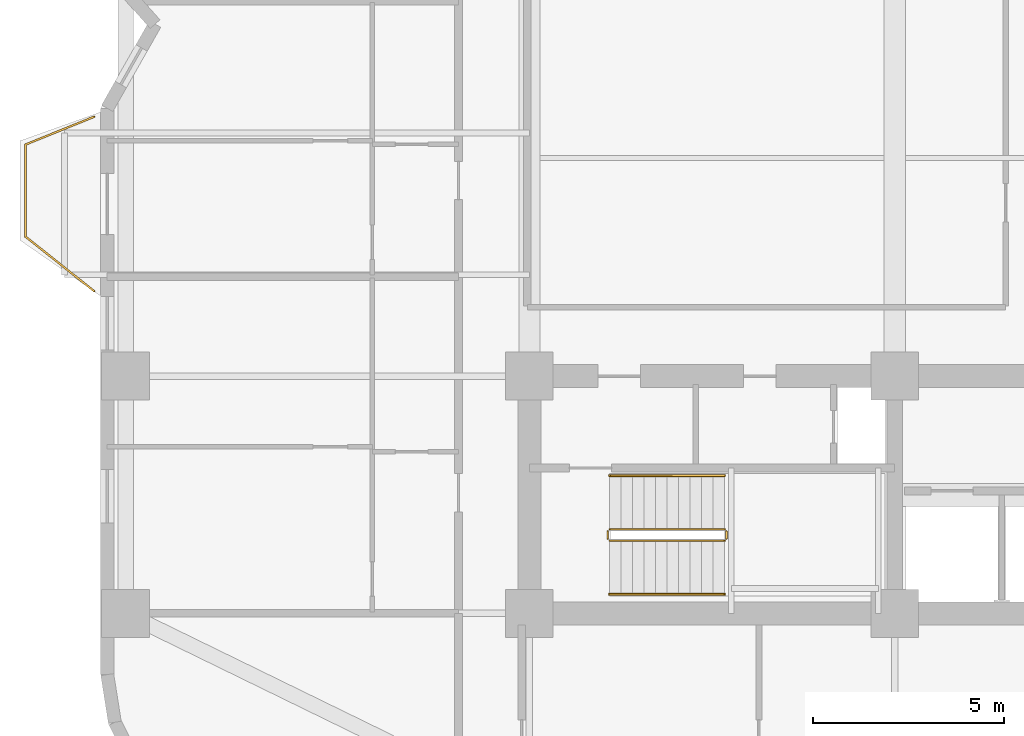
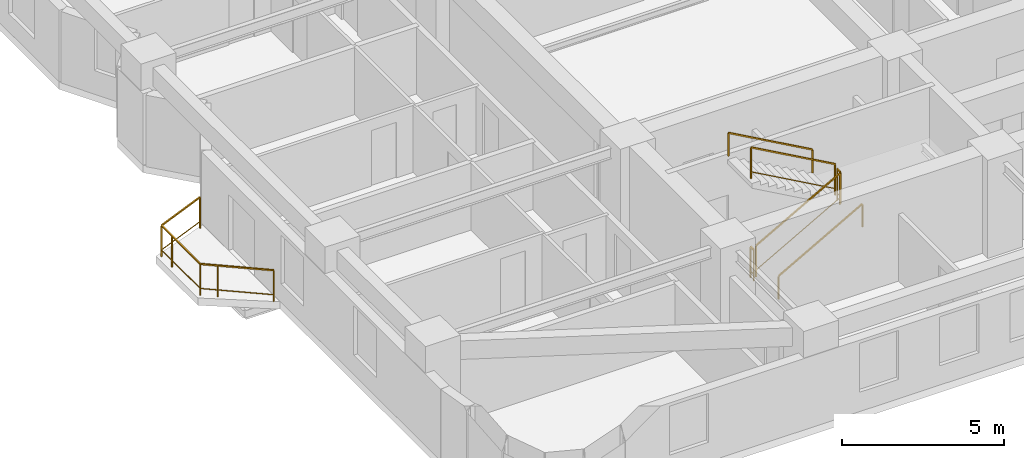
# One storey, part 8 of 9: 7 railings.
"""IFC4 building model written with IfcOpenShell, lengths in metres."""

from ifc_helpers import new_model, si_unit, direction, frame, origin, origin_2d, place, context, subcontext, project, spatial, rectangle, extrude, material, type_object, element, save


model = new_model("IFC4")

# Units and contexts
model_context = context("Model", 3, precision=1e-05, world=origin(), true_north=direction((0.0, 1.0)))
body_context = subcontext(model_context, "Body", "Model", "MODEL_VIEW")
ifc_project = project(units=[si_unit("LENGTHUNIT", "METRE"), si_unit("AREAUNIT", "SQUARE_METRE"), si_unit("VOLUMEUNIT", "CUBIC_METRE"), si_unit("PLANEANGLEUNIT", "RADIAN"), si_unit("MASSUNIT", "GRAM", prefix="KILO")], contexts=[model_context])

# Site, building, storey
site_placement = place(None, origin())
site = spatial("IfcSite", under=ifc_project, at=site_placement, CompositionType="ELEMENT")
building_placement = place(site_placement, origin())
building = spatial("IfcBuilding", under=site, at=building_placement, Name="Svetorya Sky Lyceum", CompositionType="ELEMENT")
storey_placement = place(building_placement, frame((0.0, 0.0, 51.0)))
storey = spatial("IfcBuildingStorey", under=building, at=storey_placement, Name="L12", CompositionType="ELEMENT", Elevation=51.0)

# Railings
ifc_material_1 = material(Name="Laminated safety glass and stainless AISI 316", Category="glass")
railing_type_1 = type_object("IfcRailingType", Name="RL-BAL-1200", PredefinedType="BALUSTRADE", material=ifc_material_1)
railing_1_placement = place(storey_placement, frame((14.22998046875, 19.02001953125, 0.0)))
element("IfcRailing", 1, at=railing_1_placement, inside=storey, type_object=railing_type_1, Name="L12 Balcony Balustrade BAL-W1", PredefinedType="BALUSTRADE", context=body_context, shape_type="SweptSolid", body=[
    extrude(rectangle(XDim=0.048095703125, YDim=0.048095703125, at=origin_2d()), frame((0.0, 0.0, 1.17578125), z_axis=(-0.783008919264, 0.622010476079, 0.0), x_axis=(-0.622010476079, -0.783008919264, 0.0)), (0.0, 0.0, 1.0), 2.298828125),
    extrude(rectangle(XDim=0.02392578125, YDim=0.02392578125, at=origin_2d()), frame((0.0, 0.0, 0.25), z_axis=(-0.783008919264, 0.622010476079, 0.0), x_axis=(-0.622010476079, -0.783008919264, 0.0)), (0.0, 0.0, 1.0), 2.298828125),
    extrude(rectangle(XDim=0.048095703125, YDim=0.048095703125, at=origin_2d()), frame((-1.800048828125, 1.429931640625, 1.17578125), z_axis=(0.0, 1.0, 0.0), x_axis=(-1.0, 0.0, 0.0)), (0.0, 0.0, 1.0), 2.400146484375),
    extrude(rectangle(XDim=0.02392578125, YDim=0.02392578125, at=origin_2d()), frame((-1.800048828125, 1.429931640625, 0.25), z_axis=(0.0, 1.0, 0.0), x_axis=(-1.0, 0.0, 0.0)), (0.0, 0.0, 1.0), 2.400146484375),
    extrude(rectangle(XDim=0.048095703125, YDim=0.048095703125, at=origin_2d()), frame((-1.800048828125, 3.830078125, 1.17578125), z_axis=(0.926697865975, 0.375807218129, 0.0), x_axis=(-0.375807218129, 0.926697865975, 0.0)), (0.0, 0.0, 1.0), 1.9423828125),
    extrude(rectangle(XDim=0.02392578125, YDim=0.02392578125, at=origin_2d()), frame((-1.800048828125, 3.830078125, 0.25), z_axis=(0.926697865975, 0.375807218129, 0.0), x_axis=(-0.375807218129, 0.926697865975, 0.0)), (0.0, 0.0, 1.0), 1.9423828125),
    extrude(rectangle(XDim=0.0419921875, YDim=0.0419921875, at=origin_2d()), origin(), (0.0, 0.0, 1.0), 1.15185546875),
    extrude(rectangle(XDim=0.0419921875, YDim=0.0419921875, at=origin_2d()), frame((-1.370361328125, 1.088623046875, 0.0)), (0.0, 0.0, 1.0), 1.15185546875),
    extrude(rectangle(XDim=0.0419921875, YDim=0.0419921875, at=origin_2d()), frame((-1.800048828125, 1.429931640625, 0.0)), (0.0, 0.0, 1.0), 1.15185546875),
    extrude(rectangle(XDim=0.0419921875, YDim=0.0419921875, at=origin_2d()), frame((-1.800048828125, 3.179931640625, 0.0)), (0.0, 0.0, 1.0), 1.15185546875),
    extrude(rectangle(XDim=0.0419921875, YDim=0.0419921875, at=origin_2d()), frame((-1.800048828125, 3.830078125, 0.0)), (0.0, 0.0, 1.0), 1.15185546875),
    extrude(rectangle(XDim=0.0419921875, YDim=0.0419921875, at=origin_2d()), frame((0.0, 4.56005859375, 0.0)), (0.0, 0.0, 1.0), 1.15185546875),
])
ifc_material_2 = material(Name="Painted galvanized stair well guard")
railing_type_2 = type_object("IfcRailingType", Name="RL-STR-GUARD-1200", PredefinedType="GUARDRAIL", material=ifc_material_2)
railing_2_placement = place(storey_placement, frame((27.699951171875, 12.5, 0.168212890625)))
element("IfcRailing", 2, at=railing_2_placement, inside=storey, type_object=railing_type_2, Name="L12 ST-S stair guard 1", PredefinedType="GUARDRAIL", context=body_context, shape_type="SweptSolid", body=[
    extrude(rectangle(XDim=0.048095703125, YDim=0.048095703125, at=origin_2d()), frame((0.0, 0.0, 1.17578125), z_axis=(0.872272294576, 0.0, 0.489020494575), x_axis=(0.0, 1.0, 0.0)), (0.0, 0.0, 1.0), 3.439208984375),
    extrude(rectangle(XDim=0.02392578125, YDim=0.02392578125, at=origin_2d()), frame((0.0, 0.0, 0.25), z_axis=(0.872272294576, 0.0, 0.489020494575), x_axis=(0.0, 1.0, 0.0)), (0.0, 0.0, 1.0), 3.439208984375),
    extrude(rectangle(XDim=0.0419921875, YDim=0.0419921875, at=origin_2d()), origin(), (0.0, 0.0, 1.0), 1.15185546875),
    extrude(rectangle(XDim=0.0419921875, YDim=0.0419921875, at=origin_2d()), frame((3.0, 0.0, 1.681884765625)), (0.0, 0.0, 1.0), 1.15185546875),
])
railing_3_placement = place(storey_placement, frame((30.75, 12.550048828125, 1.85009765625)))
element("IfcRailing", 3, at=railing_3_placement, inside=storey, type_object=railing_type_2, Name="L12 ST-S stair guard 2", PredefinedType="GUARDRAIL", context=body_context, shape_type="SweptSolid", body=[
    extrude(rectangle(XDim=0.048095703125, YDim=0.048095703125, at=origin_2d()), frame((0.0, 0.0, 1.17578125), z_axis=(0.0, 1.0, 0.0), x_axis=(-1.0, 0.0, 0.0)), (0.0, 0.0, 1.0), 0.199951171875),
    extrude(rectangle(XDim=0.02392578125, YDim=0.02392578125, at=origin_2d()), frame((0.0, 0.0, 0.25), z_axis=(0.0, 1.0, 0.0), x_axis=(-1.0, 0.0, 0.0)), (0.0, 0.0, 1.0), 0.199951171875),
    extrude(rectangle(XDim=0.0419921875, YDim=0.0419921875, at=origin_2d()), origin(), (0.0, 0.0, 1.0), 1.15185546875),
    extrude(rectangle(XDim=0.0419921875, YDim=0.0419921875, at=origin_2d()), frame((0.0, 0.199951171875, 0.0)), (0.0, 0.0, 1.0), 1.15185546875),
])
railing_4_placement = place(storey_placement, frame((30.699951171875, 12.800048828125, 2.01806640625)))
element("IfcRailing", 4, at=railing_4_placement, inside=storey, type_object=railing_type_2, Name="L12 ST-S stair guard 3", PredefinedType="GUARDRAIL", context=body_context, shape_type="SweptSolid", body=[
    extrude(rectangle(XDim=0.048095703125, YDim=0.048095703125, at=origin_2d()), frame((0.0, 0.0, 1.17578125), z_axis=(-0.872272294576, 0.0, 0.489020494575), x_axis=(0.0, -1.0, 0.0)), (0.0, 0.0, 1.0), 3.439208984375),
    extrude(rectangle(XDim=0.02392578125, YDim=0.02392578125, at=origin_2d()), frame((0.0, 0.0, 0.25), z_axis=(-0.872272294576, 0.0, 0.489020494575), x_axis=(0.0, -1.0, 0.0)), (0.0, 0.0, 1.0), 3.439208984375),
    extrude(rectangle(XDim=0.0419921875, YDim=0.0419921875, at=origin_2d()), origin(), (0.0, 0.0, 1.0), 1.15185546875),
    extrude(rectangle(XDim=0.0419921875, YDim=0.0419921875, at=origin_2d()), frame((-3.0, 0.0, 1.681884765625)), (0.0, 0.0, 1.0), 1.15185546875),
])
railing_5_placement = place(storey_placement, frame((27.64990234375, 12.550048828125, 0.0)))
element("IfcRailing", 5, at=railing_5_placement, inside=storey, type_object=railing_type_2, Name="L12 ST-S stair guard 4", PredefinedType="GUARDRAIL", context=body_context, shape_type="SweptSolid", body=[
    extrude(rectangle(XDim=0.048095703125, YDim=0.048095703125, at=origin_2d()), frame((0.0, 0.0, 1.17578125), z_axis=(0.0, 1.0, 0.0), x_axis=(-1.0, 0.0, 0.0)), (0.0, 0.0, 1.0), 0.199951171875),
    extrude(rectangle(XDim=0.02392578125, YDim=0.02392578125, at=origin_2d()), frame((0.0, 0.0, 0.25), z_axis=(0.0, 1.0, 0.0), x_axis=(-1.0, 0.0, 0.0)), (0.0, 0.0, 1.0), 0.199951171875),
    extrude(rectangle(XDim=0.0419921875, YDim=0.0419921875, at=origin_2d()), origin(), (0.0, 0.0, 1.0), 1.15185546875),
    extrude(rectangle(XDim=0.0419921875, YDim=0.0419921875, at=origin_2d()), frame((0.0, 0.199951171875, 0.0)), (0.0, 0.0, 1.0), 1.15185546875),
])
ifc_material_3 = material(Name="Brushed stainless AISI 304 stair handrail")
railing_type_3 = type_object("IfcRailingType", Name="RL-STR-HAND-920", PredefinedType="HANDRAIL", material=ifc_material_3)
railing_6_placement = place(storey_placement, frame((27.699951171875, 11.10009765625, 0.168212890625)))
element("IfcRailing", 6, at=railing_6_placement, inside=storey, type_object=railing_type_3, Name="L12 ST-S stair handrail 1", PredefinedType="HANDRAIL", context=body_context, shape_type="SweptSolid", body=[
    extrude(rectangle(XDim=0.048095703125, YDim=0.048095703125, at=origin_2d()), frame((0.0, 0.0, 0.8759765625), z_axis=(0.872272294576, 0.0, 0.489020494575), x_axis=(0.0, 1.0, 0.0)), (0.0, 0.0, 1.0), 3.439208984375),
    extrude(rectangle(XDim=0.0419921875, YDim=0.0419921875, at=origin_2d()), origin(), (0.0, 0.0, 1.0), 0.851806640625),
    extrude(rectangle(XDim=0.0419921875, YDim=0.0419921875, at=origin_2d()), frame((3.0, 0.0, 1.681884765625)), (0.0, 0.0, 1.0), 0.851806640625),
])
railing_7_placement = place(storey_placement, frame((30.699951171875, 14.199951171875, 2.01806640625)))
element("IfcRailing", 7, at=railing_7_placement, inside=storey, type_object=railing_type_3, Name="L12 ST-S stair handrail 2", PredefinedType="HANDRAIL", context=body_context, shape_type="SweptSolid", body=[
    extrude(rectangle(XDim=0.048095703125, YDim=0.048095703125, at=origin_2d()), frame((0.0, 0.0, 0.8759765625), z_axis=(-0.872272294576, 0.0, 0.489020494575), x_axis=(0.0, -1.0, 0.0)), (0.0, 0.0, 1.0), 3.439208984375),
    extrude(rectangle(XDim=0.0419921875, YDim=0.0419921875, at=origin_2d()), origin(), (0.0, 0.0, 1.0), 0.851806640625),
    extrude(rectangle(XDim=0.0419921875, YDim=0.0419921875, at=origin_2d()), frame((-3.0, 0.0, 1.681884765625)), (0.0, 0.0, 1.0), 0.851806640625),
])

save(model, "model.ifc")
